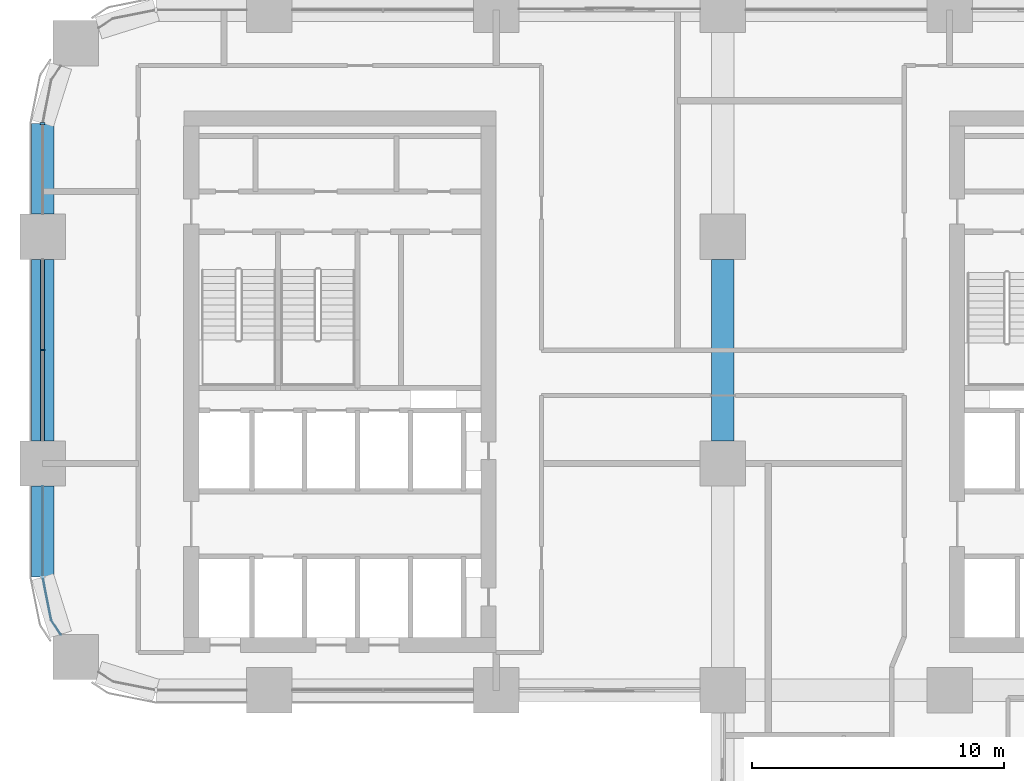
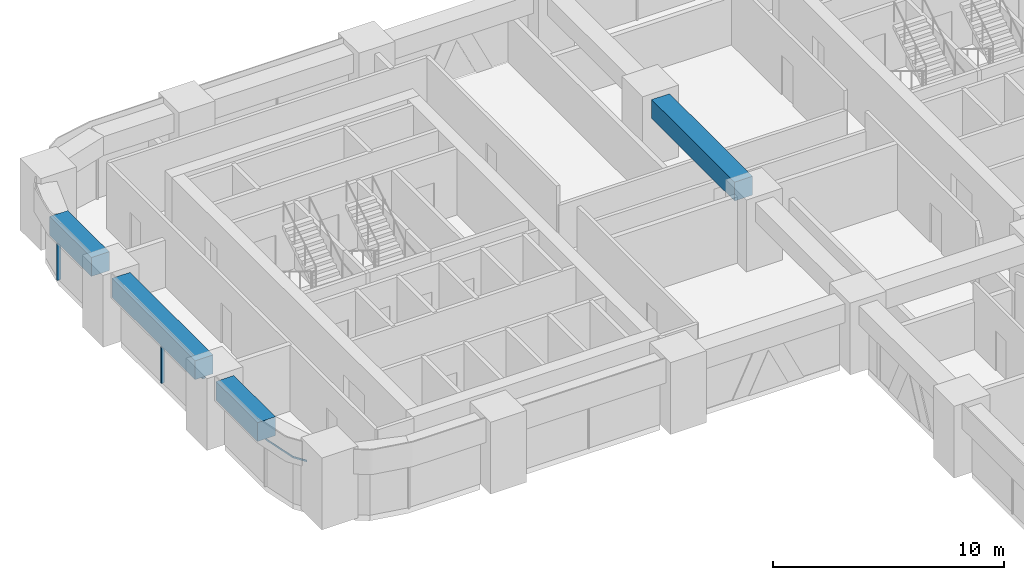
# One storey, part 7 of 24: 4 beams, 4 members, 3 elements without a shape of their own.
"""IFC4 building model written with IfcOpenShell, lengths in metres."""

from ifc_helpers import new_model, si_unit, direction, frame, origin, origin_2d, place, context, subcontext, project, spatial, polyline, rectangle, outline, extrude, material, material_profile, profile_set, type_object, element, aggregate, save


model = new_model("IFC4")

# Units and contexts
model_context = context("Model", 3, precision=1e-05, world=origin(), true_north=direction((0.0, 1.0)))
body_context = subcontext(model_context, "Body", "Model", "MODEL_VIEW")
ifc_project = project(units=[si_unit("LENGTHUNIT", "METRE"), si_unit("AREAUNIT", "SQUARE_METRE"), si_unit("VOLUMEUNIT", "CUBIC_METRE"), si_unit("PLANEANGLEUNIT", "RADIAN"), si_unit("MASSUNIT", "GRAM", prefix="KILO")], contexts=[model_context])

# Site, building, storey
site_placement = place(None, origin())
site = spatial("IfcSite", under=ifc_project, at=site_placement, CompositionType="ELEMENT")
building_placement = place(site_placement, origin())
building = spatial("IfcBuilding", under=site, at=building_placement, Name="Tessera Arch", CompositionType="ELEMENT")
storey_placement = place(building_placement, frame((0.0, 0.0, 112.0)))
storey = spatial("IfcBuildingStorey", under=building, at=storey_placement, Name="L26", CompositionType="ELEMENT", Elevation=112.0)

# Curtain wall, members
ifc_material_1 = material(Name="CW1 curtain wall")
curtain_wall_type_1 = type_object("IfcCurtainWallType", Name="CW1 curtain wall", PredefinedType="NOTDEFINED", material=ifc_material_1)
curtain_wall_1_placement = place(storey_placement, origin())
curtain_wall_1 = element("IfcCurtainWall", 1, at=curtain_wall_1_placement, inside=storey, type_object=curtain_wall_type_1, Name="CW1 curtain wall W0.27/1 L26", PredefinedType="NOTDEFINED")
ifc_material_2 = material(Name="Anodised aluminium pale metal", Category="aluminium")
ifc_material_profile_1 = material_profile(ifc_material_2, rectangle(XDim=0.159912109375, YDim=0.06005859375, at=origin_2d()), Name="AL 60x160")
ifc_profile_set_1 = profile_set([ifc_material_profile_1], Name="Anodised aluminium pale metal")
member_type_1 = type_object("IfcMemberType", Name="CW1 mullion", PredefinedType="MULLION", material=ifc_profile_set_1)
member_1_placement = place(storey_placement, frame((0.0, 40.5, 0.0), z_axis=(0.0, 0.0, 1.0), x_axis=(1.0, 0.0, 0.0)))
member_1 = element("IfcMember", 2, at=member_1_placement, type_object=member_type_1, Name="CW1 mullion W0.27/1 1", PredefinedType="MULLION", context=body_context, shape_type="SweptSolid", body=[
    extrude(rectangle(XDim=0.159912109375, YDim=0.06005859375, at=origin_2d()), origin(), (0.0, 0.0, 1.0), 2.39990234375),
])
ifc_material_3 = material(Name="Anodised aluminium pale metal", Category="aluminium")
ifc_material_profile_2 = material_profile(ifc_material_3, rectangle(XDim=0.159912109375, YDim=0.10009765625, at=origin_2d()), Name="AL 160x100")
ifc_profile_set_2 = profile_set([ifc_material_profile_2], Name="Anodised aluminium pale metal")
member_type_2 = type_object("IfcMemberType", Name="CW1 transom", PredefinedType="USERDEFINED", material=ifc_profile_set_2)
member_2_placement = place(storey_placement, frame((0.0, 44.10009765625, 2.449951171875), z_axis=(0.0, -1.0, 0.0), x_axis=(1.0, 0.0, 0.0)))
member_2 = element("IfcMember", 3, at=member_2_placement, type_object=member_type_2, Name="CW1 transom W0.27/1 1.1", ObjectType="TRANSOM", PredefinedType="USERDEFINED", context=body_context, shape_type="SweptSolid", body=[
    extrude(rectangle(XDim=0.159912109375, YDim=0.10009765625, at=origin_2d()), origin(), (0.0, 0.0, 1.0), 7.2001953125),
])
aggregate(curtain_wall_1, [member_1, member_2])

# Curtain wall, member
ifc_material_4 = material(Name="CW2 curtain wall")
curtain_wall_type_2 = type_object("IfcCurtainWallType", Name="CW2 curtain wall", PredefinedType="NOTDEFINED", material=ifc_material_4)
curtain_wall_2_placement = place(storey_placement, origin())
curtain_wall_2 = element("IfcCurtainWall", 4, at=curtain_wall_2_placement, inside=storey, type_object=curtain_wall_type_2, Name="CW2 curtain wall W0.27/0 L26", PredefinedType="NOTDEFINED")
ifc_material_5 = material(Name="Anodised aluminium pale metal", Category="aluminium")
ifc_material_profile_3 = material_profile(ifc_material_5, rectangle(XDim=0.199951171875, YDim=0.080078125, at=origin_2d()), Name="AL 80x200")
ifc_profile_set_3 = profile_set([ifc_material_profile_3], Name="Anodised aluminium pale metal")
member_type_3 = type_object("IfcMemberType", Name="CW2 mullion", PredefinedType="MULLION", material=ifc_profile_set_3)
member_3_placement = place(storey_placement, frame((0.0, 49.5, 0.0), z_axis=(0.0, 0.0, 1.0), x_axis=(1.0, 0.0, 0.0)))
member_3 = element("IfcMember", 5, at=member_3_placement, type_object=member_type_3, Name="CW2 mullion W0.27/0 1", PredefinedType="MULLION", context=body_context, shape_type="SweptSolid", body=[
    extrude(rectangle(XDim=0.199951171875, YDim=0.080078125, at=origin_2d()), origin(), (0.0, 0.0, 1.0), 2.39990234375),
])
aggregate(curtain_wall_2, [member_3])

curtain_wall_3_placement = place(storey_placement, origin())
curtain_wall_3 = element("IfcCurtainWall", 6, at=curtain_wall_3_placement, inside=storey, type_object=curtain_wall_type_2, Name="CW2 curtain wall W0.27/2 L26", PredefinedType="NOTDEFINED")
ifc_material_6 = material(Name="Anodised aluminium pale metal", Category="aluminium")
ifc_material_profile_4 = material_profile(ifc_material_6, rectangle(XDim=0.199951171875, YDim=0.10009765625, at=origin_2d()), Name="AL 200x100")
ifc_profile_set_4 = profile_set([ifc_material_profile_4], Name="Anodised aluminium pale metal")
member_type_4 = type_object("IfcMemberType", Name="CW2 transom", PredefinedType="USERDEFINED", material=ifc_profile_set_4)
member_4_placement = place(storey_placement, frame((0.0, 0.0, 2.39990234375)))
member_4 = element("IfcMember", 7, at=member_4_placement, type_object=member_type_4, Name="CW2 transom W0.27/2 1", ObjectType="TRANSOM", PredefinedType="USERDEFINED", context=body_context, shape_type="SweptSolid", body=[
    extrude(outline(polyline([(0.010009765625, 31.5009765625), (0.010009765625, 35.10009765625), (-0.010009765625, 35.10009765625), (-0.010009765625, 31.4990234375), (0.3330078125, 29.77392578125), (0.70849609375, 29.21240234375), (0.72509765625, 29.2236328125), (0.351806640625, 29.78173828125), (0.010009765625, 31.5009765625)])), origin(), (0.0, 0.0, 1.0), 0.10009765625),
])
aggregate(curtain_wall_3, [member_4])

# Beams
ifc_material_7 = material(Name="Concrete C80/95", Category="concrete")
ifc_material_profile_5 = material_profile(ifc_material_7, rectangle(XDim=0.89990234375, YDim=1.0, at=origin_2d()), Name="RC spandrel beam 900 x 1000 Concrete C80/95")
ifc_profile_set_5 = profile_set([ifc_material_profile_5], Name="Concrete C80/95")
beam_type = type_object("IfcBeamType", Name="RC spandrel beam 900 x 1000 Concrete C80/95", PredefinedType="BEAM", material=ifc_profile_set_5)
beam_1_placement = place(storey_placement, frame((0.0, 49.5, 3.0), z_axis=(0.0, -1.0, 0.0), x_axis=(1.0, 0.0, 0.0)))
element("IfcBeam", 8, at=beam_1_placement, inside=storey, type_object=beam_type, Name="Spandrel beam L26 W0.27/0.2", PredefinedType="BEAM", context=body_context, shape_type="SweptSolid", body=[
    extrude(rectangle(XDim=0.89990234375, YDim=1.0, at=origin_2d()), origin(), (0.0, 0.0, 1.0), 3.60009765625),
])
beam_2_placement = place(storey_placement, frame((0.0, 44.10009765625, 3.0), z_axis=(0.0, -1.0, 0.0), x_axis=(1.0, 0.0, 0.0)))
element("IfcBeam", 9, at=beam_2_placement, inside=storey, type_object=beam_type, Name="Spandrel beam L26 W0.27/1", PredefinedType="BEAM", context=body_context, shape_type="SweptSolid", body=[
    extrude(rectangle(XDim=0.89990234375, YDim=1.0, at=origin_2d()), origin(), (0.0, 0.0, 1.0), 7.2001953125),
])
beam_3_placement = place(storey_placement, frame((0.0, 35.10009765625, 3.0), z_axis=(0.0, -1.0, 0.0), x_axis=(1.0, 0.0, 0.0)))
element("IfcBeam", 10, at=beam_3_placement, inside=storey, type_object=beam_type, Name="Spandrel beam L26 W0.27/2.1", PredefinedType="BEAM", context=body_context, shape_type="SweptSolid", body=[
    extrude(rectangle(XDim=0.89990234375, YDim=1.0, at=origin_2d()), origin(), (0.0, 0.0, 1.0), 3.60009765625),
])
beam_4_placement = place(storey_placement, frame((27.0, 36.89990234375, 3.0), z_axis=(0.0, 1.0, 0.0), x_axis=(-1.0, 0.0, 0.0)))
element("IfcBeam", 11, at=beam_4_placement, inside=storey, type_object=beam_type, Name="Interface beam L26 I0C4E-C4F", PredefinedType="BEAM", context=body_context, shape_type="SweptSolid", body=[
    extrude(rectangle(XDim=0.89990234375, YDim=1.0, at=origin_2d()), origin(), (0.0, 0.0, 1.0), 7.2001953125),
])

save(model, "model.ifc")
